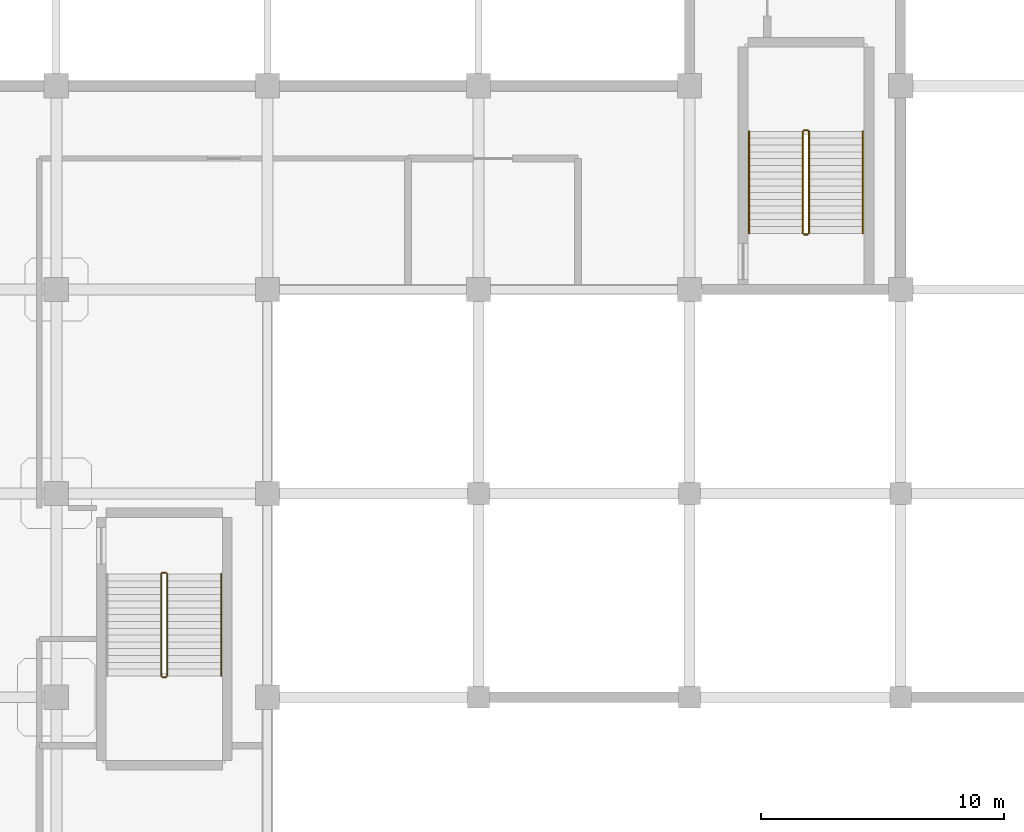
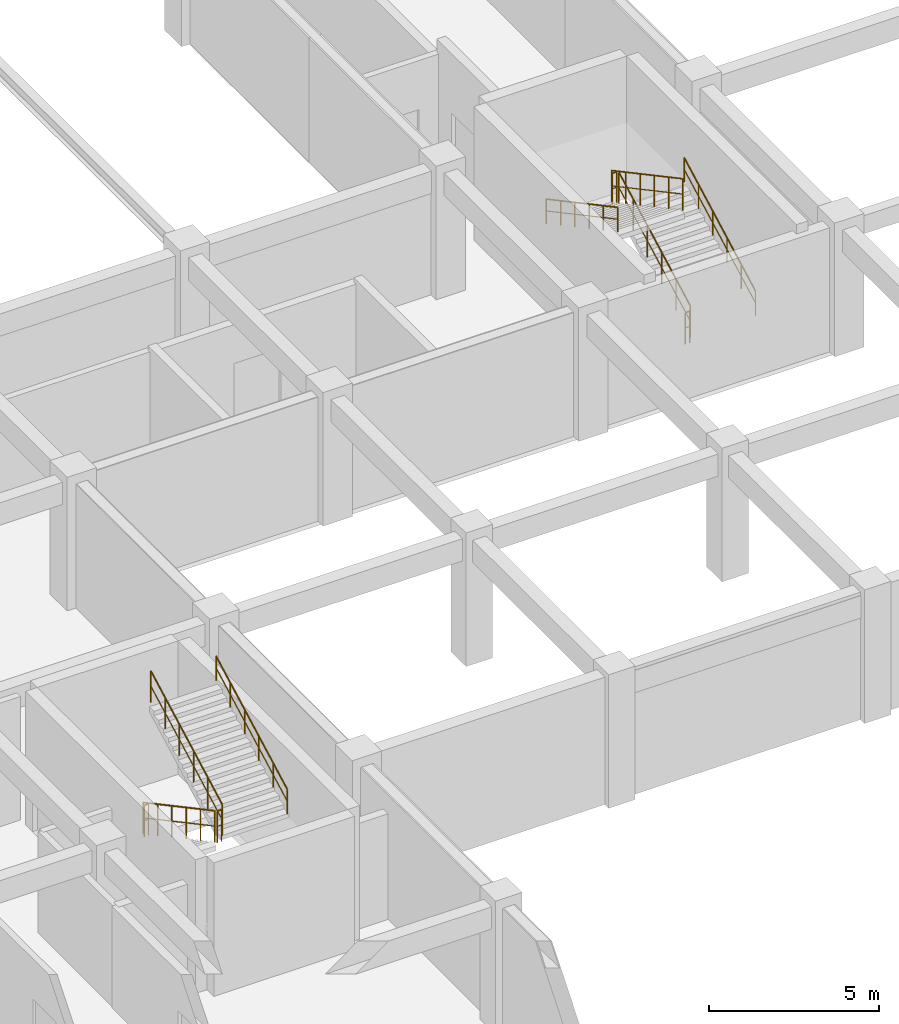
# One storey, part 18 of 19: 11 railings.
"""IFC4 building model written with IfcOpenShell, lengths in metres."""

from ifc_helpers import new_model, si_unit, derived_unit, direction, frame, origin, origin_2d, place, context, subcontext, project, spatial, circle, extrude, material, type_object, element, save


model = new_model("IFC4")

# Units and contexts
model_context = context("Model", 3, precision=1e-05, world=origin(), true_north=direction((0.0, 1.0)))
body_context = subcontext(model_context, "Body", "Model", "MODEL_VIEW")
ifc_project = project(units=[si_unit("LENGTHUNIT", "METRE"), si_unit("AREAUNIT", "SQUARE_METRE"), si_unit("VOLUMEUNIT", "CUBIC_METRE"), si_unit("PLANEANGLEUNIT", "RADIAN"), si_unit("MASSUNIT", "GRAM", prefix="KILO"), derived_unit("THERMALTRANSMITTANCEUNIT", [(si_unit("MASSUNIT", "GRAM", prefix="KILO"), 1), (si_unit("TIMEUNIT", "SECOND"), -3), (si_unit("THERMODYNAMICTEMPERATUREUNIT", "KELVIN"), -1)])], contexts=[model_context])

# Site, building, storey
site_placement = place(None, origin())
site = spatial("IfcSite", under=ifc_project, at=site_placement, CompositionType="ELEMENT")
building_placement = place(site_placement, origin())
building = spatial("IfcBuilding", under=site, at=building_placement, Name="Qinzheling Arcade Emporium", CompositionType="ELEMENT")
storey_placement = place(building_placement, frame((0.0, 0.0, -4.800048828125)))
storey = spatial("IfcBuildingStorey", under=building, at=storey_placement, Name="B1", CompositionType="ELEMENT", Elevation=-4.800048828125)

# Railings
ifc_material_1 = material(Name="Galvanised powder-coated tubular steel", Category="steel")
railing_type_1 = type_object("IfcRailingType", Name="Painted Steel Stairwell Guard Railing 1150", PredefinedType="GUARDRAIL", material=ifc_material_1)
railing_1_placement = place(storey_placement, frame((65.219970703125, 30.280029296875, 0.150146484375)))
element("IfcRailing", 1, at=railing_1_placement, inside=storey, type_object=railing_type_1, Name="B1 ST01 stair guard 1", PredefinedType="GUARDRAIL", context=body_context, shape_type="SweptSolid", body=[
    extrude(circle(Radius=0.02392578125, at=origin_2d()), frame((0.0, 0.0, 1.1259765625), z_axis=(0.0, -0.881477684796, 0.472225678258), x_axis=(1.0, 0.0, 0.0)), (0.0, 0.0, 1.0), 4.7646484375),
    extrude(circle(Radius=0.01611328125, at=origin_2d()), frame((0.0, 0.0, 0.574951171875), z_axis=(0.0, -0.881477684796, 0.472225678258), x_axis=(1.0, 0.0, 0.0)), (0.0, 0.0, 1.0), 4.7646484375),
    extrude(circle(Radius=0.02099609375, at=origin_2d()), origin(), (0.0, 0.0, 1.0), 1.101806640625),
    extrude(circle(Radius=0.02099609375, at=origin_2d()), frame((0.0, -0.840087890625, 0.449951171875)), (0.0, 0.0, 1.0), 1.101806640625),
    extrude(circle(Radius=0.02099609375, at=origin_2d()), frame((0.0, -1.679931640625, 0.89990234375)), (0.0, 0.0, 1.0), 1.101806640625),
    extrude(circle(Radius=0.02099609375, at=origin_2d()), frame((0.0, -2.52001953125, 1.35009765625)), (0.0, 0.0, 1.0), 1.101806640625),
    extrude(circle(Radius=0.02099609375, at=origin_2d()), frame((0.0, -3.35986328125, 1.800048828125)), (0.0, 0.0, 1.0), 1.101806640625),
    extrude(circle(Radius=0.02099609375, at=origin_2d()), frame((0.0, -4.199951171875, 2.25)), (0.0, 0.0, 1.0), 1.101806640625),
])
railing_2_placement = place(storey_placement, frame((65.27001953125, 26.030029296875, 2.400146484375)))
element("IfcRailing", 2, at=railing_2_placement, inside=storey, type_object=railing_type_1, Name="B1 ST01 stair guard 2", PredefinedType="GUARDRAIL", context=body_context, shape_type="SweptSolid", body=[
    extrude(circle(Radius=0.02392578125, at=origin_2d()), frame((0.0, 0.0, 1.1259765625), z_axis=(1.0, 0.0, 0.0), x_axis=(0.0, 1.0, 0.0)), (0.0, 0.0, 1.0), 0.14990234375),
    extrude(circle(Radius=0.01611328125, at=origin_2d()), frame((0.0, 0.0, 0.574951171875), z_axis=(1.0, 0.0, 0.0), x_axis=(0.0, 1.0, 0.0)), (0.0, 0.0, 1.0), 0.14990234375),
    extrude(circle(Radius=0.02099609375, at=origin_2d()), origin(), (0.0, 0.0, 1.0), 1.101806640625),
    extrude(circle(Radius=0.02099609375, at=origin_2d()), frame((0.14990234375, 0.0, 0.0)), (0.0, 0.0, 1.0), 1.101806640625),
])
railing_3_placement = place(storey_placement, frame((65.469970703125, 26.080078125, 2.550048828125)))
element("IfcRailing", 3, at=railing_3_placement, inside=storey, type_object=railing_type_1, Name="B1 ST01 stair guard 3", PredefinedType="GUARDRAIL", context=body_context, shape_type="SweptSolid", body=[
    extrude(circle(Radius=0.02392578125, at=origin_2d()), frame((0.0, 0.0, 1.1259765625), z_axis=(0.0, 0.881477684796, 0.472225678258), x_axis=(-1.0, 0.0, 0.0)), (0.0, 0.0, 1.0), 4.7646484375),
    extrude(circle(Radius=0.01611328125, at=origin_2d()), frame((0.0, 0.0, 0.574951171875), z_axis=(0.0, 0.881477684796, 0.472225678258), x_axis=(-1.0, 0.0, 0.0)), (0.0, 0.0, 1.0), 4.7646484375),
    extrude(circle(Radius=0.02099609375, at=origin_2d()), origin(), (0.0, 0.0, 1.0), 1.101806640625),
    extrude(circle(Radius=0.02099609375, at=origin_2d()), frame((0.0, 0.840087890625, 0.449951171875)), (0.0, 0.0, 1.0), 1.101806640625),
    extrude(circle(Radius=0.02099609375, at=origin_2d()), frame((0.0, 1.679931640625, 0.89990234375)), (0.0, 0.0, 1.0), 1.101806640625),
    extrude(circle(Radius=0.02099609375, at=origin_2d()), frame((0.0, 2.52001953125, 1.35009765625)), (0.0, 0.0, 1.0), 1.101806640625),
    extrude(circle(Radius=0.02099609375, at=origin_2d()), frame((0.0, 3.35986328125, 1.800048828125)), (0.0, 0.0, 1.0), 1.101806640625),
    extrude(circle(Radius=0.02099609375, at=origin_2d()), frame((0.0, 4.199951171875, 2.25)), (0.0, 0.0, 1.0), 1.101806640625),
])
railing_4_placement = place(storey_placement, frame((65.27001953125, 30.330078125, 0.0)))
element("IfcRailing", 4, at=railing_4_placement, inside=storey, type_object=railing_type_1, Name="B1 ST01 stair guard 4", PredefinedType="GUARDRAIL", context=body_context, shape_type="SweptSolid", body=[
    extrude(circle(Radius=0.02392578125, at=origin_2d()), frame((0.0, 0.0, 1.1259765625), z_axis=(1.0, 0.0, 0.0), x_axis=(0.0, 1.0, 0.0)), (0.0, 0.0, 1.0), 0.14990234375),
    extrude(circle(Radius=0.01611328125, at=origin_2d()), frame((0.0, 0.0, 0.574951171875), z_axis=(1.0, 0.0, 0.0), x_axis=(0.0, 1.0, 0.0)), (0.0, 0.0, 1.0), 0.14990234375),
    extrude(circle(Radius=0.02099609375, at=origin_2d()), origin(), (0.0, 0.0, 1.0), 1.101806640625),
    extrude(circle(Radius=0.02099609375, at=origin_2d()), frame((0.14990234375, 0.0, 0.0)), (0.0, 0.0, 1.0), 1.101806640625),
])
railing_5_placement = place(storey_placement, frame((91.919921875, 44.320068359375, 0.150146484375)))
element("IfcRailing", 5, at=railing_5_placement, inside=storey, type_object=railing_type_1, Name="B1 ST04 stair guard 1", PredefinedType="GUARDRAIL", context=body_context, shape_type="SweptSolid", body=[
    extrude(circle(Radius=0.02392578125, at=origin_2d()), frame((0.0, 0.0, 1.1259765625), z_axis=(0.0, 0.881477684796, 0.472225678258), x_axis=(-1.0, 0.0, 0.0)), (0.0, 0.0, 1.0), 4.7646484375),
    extrude(circle(Radius=0.01611328125, at=origin_2d()), frame((0.0, 0.0, 0.574951171875), z_axis=(0.0, 0.881477684796, 0.472225678258), x_axis=(-1.0, 0.0, 0.0)), (0.0, 0.0, 1.0), 4.7646484375),
    extrude(circle(Radius=0.02099609375, at=origin_2d()), origin(), (0.0, 0.0, 1.0), 1.101806640625),
    extrude(circle(Radius=0.02099609375, at=origin_2d()), frame((0.0, 0.840087890625, 0.449951171875)), (0.0, 0.0, 1.0), 1.101806640625),
    extrude(circle(Radius=0.02099609375, at=origin_2d()), frame((0.0, 1.679931640625, 0.89990234375)), (0.0, 0.0, 1.0), 1.101806640625),
    extrude(circle(Radius=0.02099609375, at=origin_2d()), frame((0.0, 2.52001953125, 1.35009765625)), (0.0, 0.0, 1.0), 1.101806640625),
    extrude(circle(Radius=0.02099609375, at=origin_2d()), frame((0.0, 3.35986328125, 1.800048828125)), (0.0, 0.0, 1.0), 1.101806640625),
    extrude(circle(Radius=0.02099609375, at=origin_2d()), frame((0.0, 4.199951171875, 2.25)), (0.0, 0.0, 1.0), 1.101806640625),
])
railing_6_placement = place(storey_placement, frame((91.8701171875, 48.570068359375, 2.400146484375)))
element("IfcRailing", 6, at=railing_6_placement, inside=storey, type_object=railing_type_1, Name="B1 ST04 stair guard 2", PredefinedType="GUARDRAIL", context=body_context, shape_type="SweptSolid", body=[
    extrude(circle(Radius=0.02392578125, at=origin_2d()), frame((0.0, 0.0, 1.1259765625), z_axis=(-1.0, 0.0, 0.0), x_axis=(0.0, -1.0, 0.0)), (0.0, 0.0, 1.0), 0.150146484375),
    extrude(circle(Radius=0.01611328125, at=origin_2d()), frame((0.0, 0.0, 0.574951171875), z_axis=(-1.0, 0.0, 0.0), x_axis=(0.0, -1.0, 0.0)), (0.0, 0.0, 1.0), 0.150146484375),
    extrude(circle(Radius=0.02099609375, at=origin_2d()), origin(), (0.0, 0.0, 1.0), 1.101806640625),
    extrude(circle(Radius=0.02099609375, at=origin_2d()), frame((-0.150146484375, 0.0, 0.0)), (0.0, 0.0, 1.0), 1.101806640625),
])
railing_7_placement = place(storey_placement, frame((91.669921875, 48.52001953125, 2.550048828125)))
element("IfcRailing", 7, at=railing_7_placement, inside=storey, type_object=railing_type_1, Name="B1 ST04 stair guard 3", PredefinedType="GUARDRAIL", context=body_context, shape_type="SweptSolid", body=[
    extrude(circle(Radius=0.02392578125, at=origin_2d()), frame((0.0, 0.0, 1.1259765625), z_axis=(0.0, -0.881477684796, 0.472225678258), x_axis=(1.0, 0.0, 0.0)), (0.0, 0.0, 1.0), 4.7646484375),
    extrude(circle(Radius=0.01611328125, at=origin_2d()), frame((0.0, 0.0, 0.574951171875), z_axis=(0.0, -0.881477684796, 0.472225678258), x_axis=(1.0, 0.0, 0.0)), (0.0, 0.0, 1.0), 4.7646484375),
    extrude(circle(Radius=0.02099609375, at=origin_2d()), origin(), (0.0, 0.0, 1.0), 1.101806640625),
    extrude(circle(Radius=0.02099609375, at=origin_2d()), frame((0.0, -0.840087890625, 0.449951171875)), (0.0, 0.0, 1.0), 1.101806640625),
    extrude(circle(Radius=0.02099609375, at=origin_2d()), frame((0.0, -1.679931640625, 0.89990234375)), (0.0, 0.0, 1.0), 1.101806640625),
    extrude(circle(Radius=0.02099609375, at=origin_2d()), frame((0.0, -2.52001953125, 1.35009765625)), (0.0, 0.0, 1.0), 1.101806640625),
    extrude(circle(Radius=0.02099609375, at=origin_2d()), frame((0.0, -3.35986328125, 1.800048828125)), (0.0, 0.0, 1.0), 1.101806640625),
    extrude(circle(Radius=0.02099609375, at=origin_2d()), frame((0.0, -4.199951171875, 2.25)), (0.0, 0.0, 1.0), 1.101806640625),
])
railing_8_placement = place(storey_placement, frame((91.8701171875, 44.27001953125, 0.0)))
element("IfcRailing", 8, at=railing_8_placement, inside=storey, type_object=railing_type_1, Name="B1 ST04 stair guard 4", PredefinedType="GUARDRAIL", context=body_context, shape_type="SweptSolid", body=[
    extrude(circle(Radius=0.02392578125, at=origin_2d()), frame((0.0, 0.0, 1.1259765625), z_axis=(-1.0, 0.0, 0.0), x_axis=(0.0, -1.0, 0.0)), (0.0, 0.0, 1.0), 0.150146484375),
    extrude(circle(Radius=0.01611328125, at=origin_2d()), frame((0.0, 0.0, 0.574951171875), z_axis=(-1.0, 0.0, 0.0), x_axis=(0.0, -1.0, 0.0)), (0.0, 0.0, 1.0), 0.150146484375),
    extrude(circle(Radius=0.02099609375, at=origin_2d()), origin(), (0.0, 0.0, 1.0), 1.101806640625),
    extrude(circle(Radius=0.02099609375, at=origin_2d()), frame((-0.150146484375, 0.0, 0.0)), (0.0, 0.0, 1.0), 1.101806640625),
])
ifc_material_2 = material(Name="Brushed stainless steel 304", Category="steel")
railing_type_2 = type_object("IfcRailingType", Name="Stainless Steel Wall Handrail 900", PredefinedType="HANDRAIL", material=ifc_material_2)
for number, where, name in (
    (9, (67.68994140625, 26.080078125, 2.550048828125), "B1 ST01 stair handrail 2"),
    (10, (94.139892578125, 44.320068359375, 0.150146484375), "B1 ST04 stair handrail 1"),
):
    element("IfcRailing", number, at=place(storey_placement, frame(where)), inside=storey, type_object=railing_type_2, Name=name, PredefinedType="HANDRAIL", context=body_context, shape_type="SweptSolid", body=[
        extrude(circle(Radius=0.02392578125, at=origin_2d()), frame((0.0, 0.0, 0.8759765625), z_axis=(0.0, 0.881477684796, 0.472225678258), x_axis=(-1.0, 0.0, 0.0)), (0.0, 0.0, 1.0), 4.7646484375),
        extrude(circle(Radius=0.01611328125, at=origin_2d()), frame((0.0, 0.0, 0.449951171875), z_axis=(0.0, 0.881477684796, 0.472225678258), x_axis=(-1.0, 0.0, 0.0)), (0.0, 0.0, 1.0), 4.7646484375),
        extrude(circle(Radius=0.02099609375, at=origin_2d()), origin(), (0.0, 0.0, 1.0), 0.851806640625),
        extrude(circle(Radius=0.02099609375, at=origin_2d()), frame((0.0, 0.840087890625, 0.449951171875)), (0.0, 0.0, 1.0), 0.851806640625),
        extrude(circle(Radius=0.02099609375, at=origin_2d()), frame((0.0, 1.679931640625, 0.89990234375)), (0.0, 0.0, 1.0), 0.851806640625),
        extrude(circle(Radius=0.02099609375, at=origin_2d()), frame((0.0, 2.52001953125, 1.35009765625)), (0.0, 0.0, 1.0), 0.851806640625),
        extrude(circle(Radius=0.02099609375, at=origin_2d()), frame((0.0, 3.35986328125, 1.800048828125)), (0.0, 0.0, 1.0), 0.851806640625),
        extrude(circle(Radius=0.02099609375, at=origin_2d()), frame((0.0, 4.199951171875, 2.25)), (0.0, 0.0, 1.0), 0.851806640625),
    ])
railing_9_placement = place(storey_placement, frame((89.449951171875, 48.52001953125, 2.550048828125)))
element("IfcRailing", 11, at=railing_9_placement, inside=storey, type_object=railing_type_2, Name="B1 ST04 stair handrail 2", PredefinedType="HANDRAIL", context=body_context, shape_type="SweptSolid", body=[
    extrude(circle(Radius=0.02392578125, at=origin_2d()), frame((0.0, 0.0, 0.8759765625), z_axis=(0.0, -0.881477684796, 0.472225678258), x_axis=(1.0, 0.0, 0.0)), (0.0, 0.0, 1.0), 4.7646484375),
    extrude(circle(Radius=0.01611328125, at=origin_2d()), frame((0.0, 0.0, 0.449951171875), z_axis=(0.0, -0.881477684796, 0.472225678258), x_axis=(1.0, 0.0, 0.0)), (0.0, 0.0, 1.0), 4.7646484375),
    extrude(circle(Radius=0.02099609375, at=origin_2d()), origin(), (0.0, 0.0, 1.0), 0.851806640625),
    extrude(circle(Radius=0.02099609375, at=origin_2d()), frame((0.0, -0.840087890625, 0.449951171875)), (0.0, 0.0, 1.0), 0.851806640625),
    extrude(circle(Radius=0.02099609375, at=origin_2d()), frame((0.0, -1.679931640625, 0.89990234375)), (0.0, 0.0, 1.0), 0.851806640625),
    extrude(circle(Radius=0.02099609375, at=origin_2d()), frame((0.0, -2.52001953125, 1.35009765625)), (0.0, 0.0, 1.0), 0.851806640625),
    extrude(circle(Radius=0.02099609375, at=origin_2d()), frame((0.0, -3.35986328125, 1.800048828125)), (0.0, 0.0, 1.0), 0.851806640625),
    extrude(circle(Radius=0.02099609375, at=origin_2d()), frame((0.0, -4.199951171875, 2.25)), (0.0, 0.0, 1.0), 0.851806640625),
])

save(model, "model.ifc")
